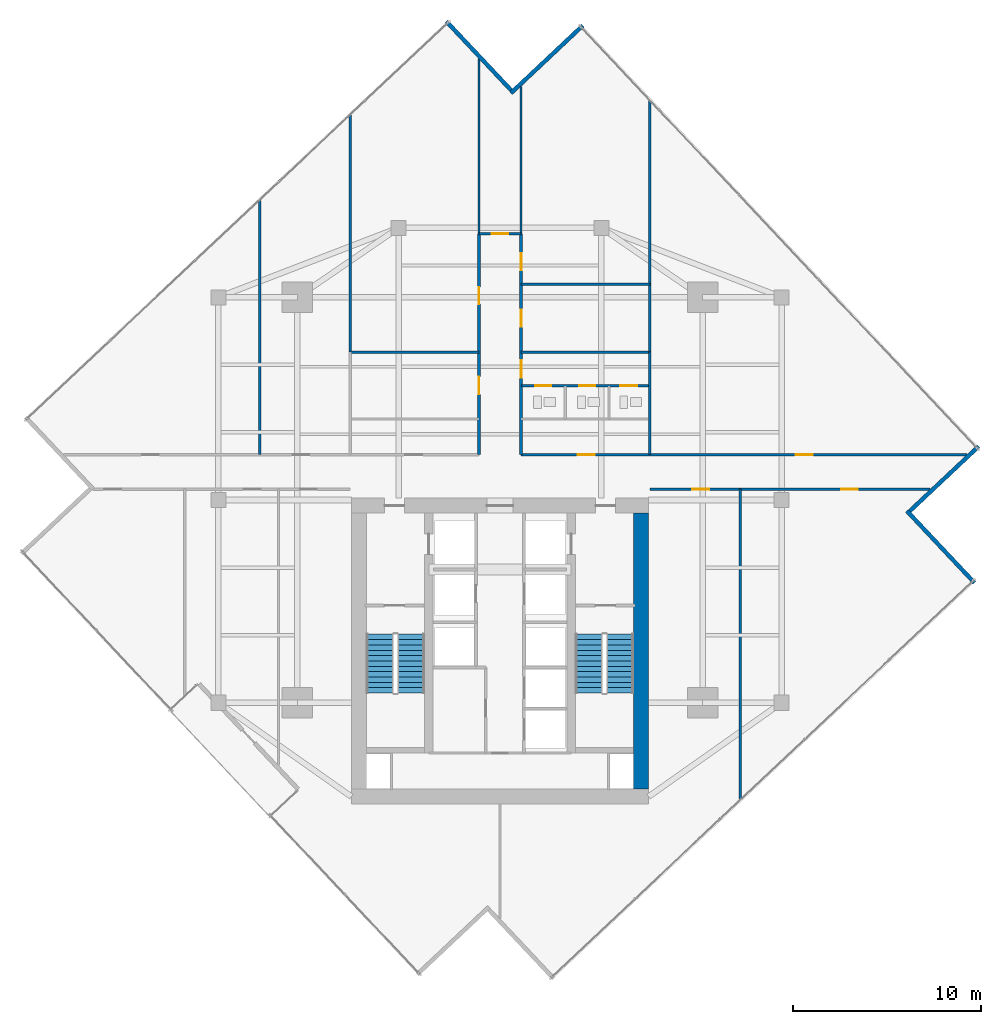
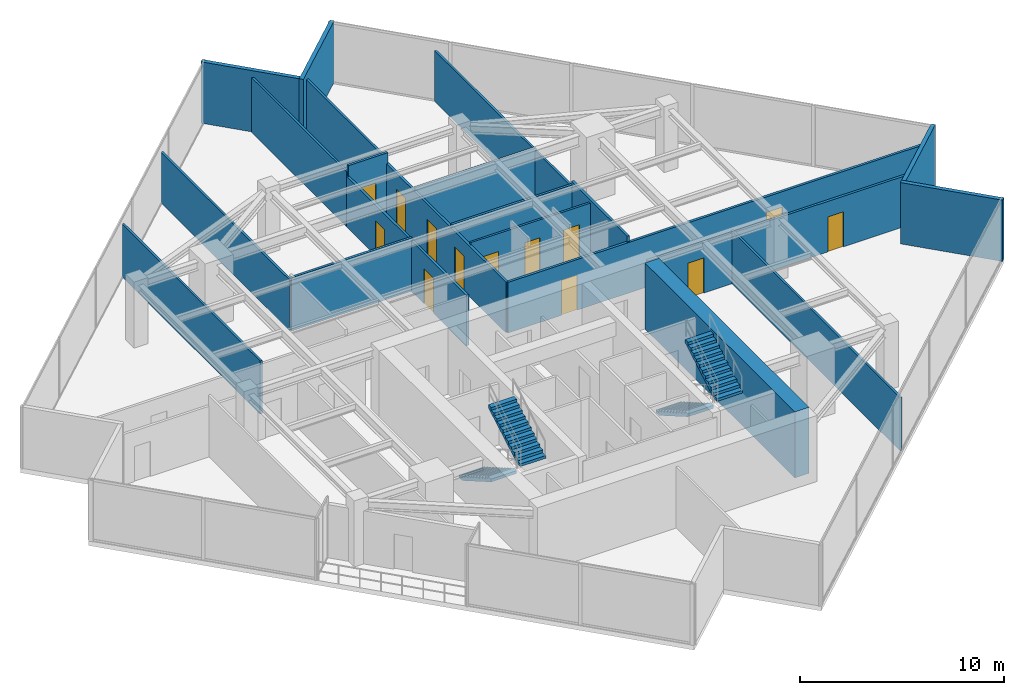
# One storey, part 22 of 24: 21 walls, 13 doors, 4 stair flights, 13 openings, 2 elements without a shape of their own.
"""IFC4 building model written with IfcOpenShell, lengths in metres."""

from ifc_helpers import new_model, si_unit, direction, frame, frame_2d, origin, place, context, subcontext, project, spatial, polyline, rectangle, outline, extrude, material, layer, layer_set, type_object, element, fill, aggregate, save


model = new_model("IFC4")

# Units and contexts
model_context = context("Model", 3, precision=1e-05, world=origin(), true_north=direction((0.0, 1.0)))
body_context = subcontext(model_context, "Body", "Model", "MODEL_VIEW")
ifc_project = project(units=[si_unit("LENGTHUNIT", "METRE"), si_unit("AREAUNIT", "SQUARE_METRE"), si_unit("VOLUMEUNIT", "CUBIC_METRE"), si_unit("PLANEANGLEUNIT", "RADIAN"), si_unit("MASSUNIT", "GRAM", prefix="KILO")], contexts=[model_context])

# Site, building, storey
site_placement = place(None, origin())
site = spatial("IfcSite", under=ifc_project, at=site_placement, CompositionType="ELEMENT")
building_placement = place(site_placement, origin())
building = spatial("IfcBuilding", under=site, at=building_placement, Name="Krantzveldt Concourse Tower", CompositionType="ELEMENT")
storey_placement = place(building_placement, frame((0.0, 0.0, 246.800048828125)))
storey = spatial("IfcBuildingStorey", under=building, at=storey_placement, Name="L60", CompositionType="ELEMENT", Elevation=246.800048828125)

# Walls
ifc_material_1 = material(Name="Anodised aluminium 6063-T6", Category="aluminium")
ifc_layer_1 = layer(ifc_material_1, 0.219970703125, Name="Anodised aluminium 6063-T6", Category="aluminium")
ifc_layer_set_1 = layer_set([ifc_layer_1], Name="Anodised aluminium 6063-T6 (WL-EXT-NOTCH220)")
wall_type_1 = type_object("IfcWallType", Name="WL-EXT-NOTCH220", PredefinedType="ELEMENTEDWALL", material=ifc_layer_set_1)
wall_1_placement = place(storey_placement, frame((36.58935546875, 48.53466796875, 0.0), z_axis=(0.0, 0.0, 1.0), x_axis=(-0.685181305796, 0.728372554527, 0.0)))
element("IfcWall", 1, at=wall_1_placement, inside=storey, type_object=wall_type_1, Name="EW-L60-NCH00", PredefinedType="ELEMENTEDWALL", context=body_context, shape_type="SweptSolid", body=[
    extrude(rectangle(XDim=5.025146484375, YDim=0.219970703125, at=frame_2d((2.5126953125, 0.0))), origin(), (0.0, 0.0, 1.0), 3.669921875),
])
wall_2_placement = place(storey_placement, frame((61.27294921875, 22.295166015625, 0.0), z_axis=(0.0, 0.0, 1.0), x_axis=(-0.685178828418, 0.728374884992, 0.0)))
element("IfcWall", 2, at=wall_2_placement, inside=storey, type_object=wall_type_1, Name="EW-L60-NCH12", PredefinedType="ELEMENTEDWALL", context=body_context, shape_type="SweptSolid", body=[
    extrude(rectangle(XDim=5.244873046875, YDim=0.219970703125, at=frame_2d((2.62255859375, 0.0))), origin(), (0.0, 0.0, 1.0), 3.669921875),
])
wall_3_placement = place(storey_placement, frame((57.834716796875, 26.110595703125, 0.0), z_axis=(0.0, 0.0, 1.0), x_axis=(0.728372554527, 0.685181305796, 0.0)))
element("IfcWall", 3, at=wall_3_placement, inside=storey, type_object=wall_type_1, Name="EW-L60-NCH13", PredefinedType="ELEMENTEDWALL", context=body_context, shape_type="SweptSolid", body=[
    extrude(rectangle(XDim=5.025146484375, YDim=0.219970703125, at=frame_2d((2.5126953125, 0.0))), origin(), (0.0, 0.0, 1.0), 3.669921875),
])
wall_4_placement = place(storey_placement, frame((40.40478515625, 51.972900390625, 0.0), z_axis=(0.0, 0.0, 1.0), x_axis=(-0.728374884992, -0.685178828418, 0.0)))
element("IfcWall", 4, at=wall_4_placement, inside=storey, type_object=wall_type_1, Name="EW-L60-NCH15", PredefinedType="ELEMENTEDWALL", context=body_context, shape_type="SweptSolid", body=[
    extrude(rectangle(XDim=5.244873046875, YDim=0.219970703125, at=frame_2d((2.62255859375, 0.0))), origin(), (0.0, 0.0, 1.0), 3.669921875),
])

# Wall, openings, doors
ifc_material_2 = material(Name="Fire-rated gypsum plasterboard on steel stud", Category="steel")
ifc_layer_2 = layer(ifc_material_2, 0.1201171875, Name="Fire-rated gypsum plasterboard on steel stud", Category="steel")
ifc_layer_set_2 = layer_set([ifc_layer_2], Name="Fire-rated gypsum plasterboard on steel stud (WL-PART-120)")
wall_type_2 = type_object("IfcWallType", Name="WL-PART-120", PredefinedType="PARTITIONING", material=ifc_layer_set_2)
wall_5_placement = place(storey_placement, frame((37.14990234375, 32.780029296875, 0.0), z_axis=(0.0, 0.0, 1.0), x_axis=(1.0, 0.0, 0.0)))
wall_5 = element("IfcWall", 5, at=wall_5_placement, inside=storey, type_object=wall_type_2, Name="WP-L60-WCHDR", PredefinedType="PARTITIONING", context=body_context, shape_type="SweptSolid", body=[
    extrude(rectangle(XDim=6.800048828125, YDim=0.1201171875, at=frame_2d((3.39990234375, 0.0))), origin(), (0.0, 0.0, 1.0), 3.179931640625),
])
opening_1_placement = place(wall_5_placement, frame((0.72509765625, 0.0, 0.0)))
opening_1 = element("IfcOpeningElement", 6, at=opening_1_placement, cuts=wall_5, Name="Opening D-IN085", PredefinedType="OPENING", context=body_context, shape_type="SweptSolid", body=[
    extrude(rectangle(XDim=0.85009765625, YDim=2.10009765625, at=frame_2d((0.425048828125, 1.050048828125))), frame((0.0, 0.070068359375, 0.0), z_axis=(0.0, -1.0, 0.0), x_axis=(1.0, 0.0, 0.0)), (0.0, 0.0, 1.0), 0.14013671875),
])
opening_2_placement = place(wall_5_placement, frame((3.06494140625, 0.0, 0.0)))
opening_2 = element("IfcOpeningElement", 7, at=opening_2_placement, cuts=wall_5, Name="Opening D-IN085", PredefinedType="OPENING", context=body_context, shape_type="SweptSolid", body=[
    extrude(rectangle(XDim=0.85009765625, YDim=2.10009765625, at=frame_2d((0.425048828125, 1.050048828125))), frame((0.0, 0.070068359375, 0.0), z_axis=(0.0, -1.0, 0.0), x_axis=(1.0, 0.0, 0.0)), (0.0, 0.0, 1.0), 0.14013671875),
])
opening_3_placement = place(wall_5_placement, frame((5.25, 0.0, 0.0)))
opening_3 = element("IfcOpeningElement", 8, at=opening_3_placement, cuts=wall_5, Name="Opening D-IN090", PredefinedType="OPENING", context=body_context, shape_type="SweptSolid", body=[
    extrude(rectangle(XDim=0.89990234375, YDim=2.10009765625, at=frame_2d((0.449951171875, 1.050048828125))), frame((0.0, 0.070068359375, 0.0), z_axis=(0.0, -1.0, 0.0), x_axis=(1.0, 0.0, 0.0)), (0.0, 0.0, 1.0), 0.14013671875),
])
ifc_material_3 = material(Name="Hardwood timber", Category="wood")
door_type_1 = type_object("IfcDoorType", Name="DR-INT-850", OperationType="SINGLE_SWING_LEFT", PredefinedType="DOOR", material=ifc_material_3)
door_1_placement = place(opening_1_placement, origin())
door_1 = element("IfcDoor", 9, at=door_1_placement, inside=storey, type_object=door_type_1, Name="DR-L60-WCM", OperationType="SINGLE_SWING_LEFT", OverallHeight=2.10009765625, OverallWidth=0.85009765625, PredefinedType="DOOR", context=body_context, shape_type="SweptSolid", body=[
    extrude(rectangle(XDim=0.85009765625, YDim=2.10009765625, at=frame_2d((0.425048828125, 1.050048828125))), frame((0.0, 0.02490234375, 0.0), z_axis=(0.0, -1.0, 0.0), x_axis=(1.0, 0.0, 0.0)), (0.0, 0.0, 1.0), 0.050048828125),
])
fill(opening_1, door_1)
door_2_placement = place(opening_2_placement, origin())
door_2 = element("IfcDoor", 10, at=door_2_placement, inside=storey, type_object=door_type_1, Name="DR-L60-WCF", OperationType="SINGLE_SWING_RIGHT", OverallHeight=2.10009765625, OverallWidth=0.85009765625, PredefinedType="DOOR", context=body_context, shape_type="SweptSolid", body=[
    extrude(rectangle(XDim=0.85009765625, YDim=2.10009765625, at=frame_2d((0.425048828125, 1.050048828125))), frame((0.0, 0.02490234375, 0.0), z_axis=(0.0, -1.0, 0.0), x_axis=(1.0, 0.0, 0.0)), (0.0, 0.0, 1.0), 0.050048828125),
])
fill(opening_2, door_2)
door_type_2 = type_object("IfcDoorType", Name="DR-INT-900", OperationType="SINGLE_SWING_LEFT", PredefinedType="DOOR", material=ifc_material_3)
door_3_placement = place(opening_3_placement, origin())
door_3 = element("IfcDoor", 11, at=door_3_placement, inside=storey, type_object=door_type_2, Name="DR-L60-WCA", OperationType="SINGLE_SWING_LEFT", OverallHeight=2.10009765625, OverallWidth=0.89990234375, PredefinedType="DOOR", context=body_context, shape_type="SweptSolid", body=[
    extrude(rectangle(XDim=0.89990234375, YDim=2.10009765625, at=frame_2d((0.449951171875, 1.050048828125))), frame((0.0, 0.02490234375, 0.0), z_axis=(0.0, -1.0, 0.0), x_axis=(1.0, 0.0, 0.0)), (0.0, 0.0, 1.0), 0.050048828125),
])
fill(opening_3, door_3)

# Walls
wall_6_placement = place(storey_placement, frame((34.8798828125, 40.8798828125, 0.0), z_axis=(0.0, 0.0, 1.0), x_axis=(0.0, 1.0, 0.0)))
element("IfcWall", 12, at=wall_6_placement, inside=storey, type_object=wall_type_2, Name="WP-L60-NTL", PredefinedType="PARTITIONING", context=body_context, shape_type="SweptSolid", body=[
    extrude(rectangle(XDim=9.303955078125, YDim=0.1201171875, at=frame_2d((4.65185546875, 0.0))), origin(), (0.0, 0.0, 1.0), 3.280029296875),
])
wall_7_placement = place(storey_placement, frame((37.1201171875, 40.8798828125, 0.0), z_axis=(0.0, 0.0, 1.0), x_axis=(0.0, 1.0, 0.0)))
element("IfcWall", 13, at=wall_7_placement, inside=storey, type_object=wall_type_2, Name="WP-L60-NTR", PredefinedType="PARTITIONING", context=body_context, shape_type="SweptSolid", body=[
    extrude(rectangle(XDim=7.84521484375, YDim=0.1201171875, at=frame_2d((3.922607421875, 0.0))), origin(), (0.0, 0.0, 1.0), 3.280029296875),
])
wall_8_placement = place(storey_placement, frame((23.199951171875, 29.1201171875, 0.0), z_axis=(0.0, 0.0, 1.0), x_axis=(0.0, 1.0, 0.0)))
element("IfcWall", 14, at=wall_8_placement, inside=storey, type_object=wall_type_2, Name="WP-L60-NWX1", PredefinedType="PARTITIONING", context=body_context, shape_type="SweptSolid", body=[
    extrude(rectangle(XDim=13.560302734375, YDim=0.1201171875, at=frame_2d((6.7802734375, 0.0))), origin(), (0.0, 0.0, 1.0), 3.179931640625),
])
wall_9_placement = place(storey_placement, frame((28.02001953125, 34.580078125, 0.0), z_axis=(0.0, 0.0, 1.0), x_axis=(0.0, 1.0, 0.0)))
element("IfcWall", 15, at=wall_9_placement, inside=storey, type_object=wall_type_2, Name="WP-L60-ISWL2", PredefinedType="PARTITIONING", context=body_context, shape_type="SweptSolid", body=[
    extrude(rectangle(XDim=12.634521484375, YDim=0.1201171875, at=frame_2d((6.3173828125, 0.0))), origin(), (0.0, 0.0, 1.0), 3.030029296875),
])
wall_10_placement = place(storey_placement, frame((43.97998046875, 34.580078125, 0.0), z_axis=(0.0, 0.0, 1.0), x_axis=(0.0, 1.0, 0.0)))
element("IfcWall", 16, at=wall_10_placement, inside=storey, type_object=wall_type_2, Name="WP-L60-ISER2", PredefinedType="PARTITIONING", context=body_context, shape_type="SweptSolid", body=[
    extrude(rectangle(XDim=13.424560546875, YDim=0.1201171875, at=frame_2d((6.71240234375, 0.0))), origin(), (0.0, 0.0, 1.0), 3.030029296875),
])
wall_11_placement = place(storey_placement, frame((37.1201171875, 38.199951171875, 0.0), z_axis=(0.0, 0.0, 1.0), x_axis=(1.0, 0.0, 0.0)))
element("IfcWall", 17, at=wall_11_placement, inside=storey, type_object=wall_type_2, Name="WP-L60-NEIY", PredefinedType="PARTITIONING", context=body_context, shape_type="SweptSolid", body=[
    extrude(rectangle(XDim=6.85986328125, YDim=0.1201171875, at=frame_2d((3.429931640625, 0.0))), origin(), (0.0, 0.0, 1.0), 3.179931640625),
])
wall_12_placement = place(storey_placement, frame((48.800048828125, 10.719482421875, 0.0), z_axis=(0.0, 0.0, 1.0), x_axis=(0.0, 1.0, 0.0)))
element("IfcWall", 18, at=wall_12_placement, inside=storey, type_object=wall_type_2, Name="WP-L60-SEX1", PredefinedType="PARTITIONING", context=body_context, shape_type="SweptSolid", body=[
    extrude(rectangle(XDim=16.560546875, YDim=0.1201171875, at=frame_2d((8.2802734375, 0.0))), origin(), (0.0, 0.0, 1.0), 3.179931640625),
])

# Wall, openings, doors
ifc_layer_3 = layer(ifc_material_2, 0.139892578125, Name="Fire-rated gypsum plasterboard on steel stud", Category="steel")
ifc_layer_set_3 = layer_set([ifc_layer_3], Name="Fire-rated gypsum plasterboard on steel stud (WL-PART-140)")
wall_type_3 = type_object("IfcWallType", Name="WL-PART-140", PredefinedType="PARTITIONING", material=ifc_layer_set_3)
wall_13_placement = place(storey_placement, frame((34.8798828125, 29.1201171875, 0.0), z_axis=(0.0, 0.0, 1.0), x_axis=(0.0, 1.0, 0.0)))
wall_13 = element("IfcWall", 19, at=wall_13_placement, inside=storey, type_object=wall_type_3, Name="WP-L60-SPWL", PredefinedType="PARTITIONING", context=body_context, shape_type="SweptSolid", body=[
    extrude(rectangle(XDim=11.759765625, YDim=0.139892578125, at=frame_2d((5.8798828125, 0.0))), origin(), (0.0, 0.0, 1.0), 3.030029296875),
])
opening_4_placement = place(wall_13_placement, frame((3.205078125, 0.0, 0.0)))
opening_4 = element("IfcOpeningElement", 20, at=opening_4_placement, cuts=wall_13, Name="Opening D-IN095", PredefinedType="OPENING", context=body_context, shape_type="SweptSolid", body=[
    extrude(rectangle(XDim=0.949951171875, YDim=2.10009765625, at=frame_2d((0.47509765625, 1.050048828125))), frame((0.0, 0.080078125, 0.0), z_axis=(0.0, -1.0, 0.0), x_axis=(1.0, 0.0, 0.0)), (0.0, 0.0, 1.0), 0.159912109375),
])
opening_5_placement = place(wall_13_placement, frame((8.02001953125, 0.0, 0.0)))
opening_5 = element("IfcOpeningElement", 21, at=opening_5_placement, cuts=wall_13, Name="Opening D-IN090", PredefinedType="OPENING", context=body_context, shape_type="SweptSolid", body=[
    extrude(rectangle(XDim=0.89990234375, YDim=2.10009765625, at=frame_2d((0.449951171875, 1.050048828125))), frame((0.0, 0.080078125, 0.0), z_axis=(0.0, -1.0, 0.0), x_axis=(1.0, 0.0, 0.0)), (0.0, 0.0, 1.0), 0.159912109375),
])
door_4_placement = place(opening_5_placement, origin())
door_4 = element("IfcDoor", 22, at=door_4_placement, inside=storey, type_object=door_type_2, Name="DR-L60-NWI1", OperationType="SINGLE_SWING_LEFT", OverallHeight=2.10009765625, OverallWidth=0.89990234375, PredefinedType="DOOR", context=body_context, shape_type="SweptSolid", body=[
    extrude(rectangle(XDim=0.89990234375, YDim=2.10009765625, at=frame_2d((0.449951171875, 1.050048828125))), frame((0.0, 0.02490234375, 0.0), z_axis=(0.0, -1.0, 0.0), x_axis=(1.0, 0.0, 0.0)), (0.0, 0.0, 1.0), 0.050048828125),
])
fill(opening_5, door_4)
door_type_3 = type_object("IfcDoorType", Name="DR-INT-950", OperationType="SINGLE_SWING_LEFT", PredefinedType="DOOR", material=ifc_material_3)
door_5_placement = place(opening_4_placement, origin())
door_5 = element("IfcDoor", 23, at=door_5_placement, inside=storey, type_object=door_type_3, Name="DR-L60-PNT", OperationType="SINGLE_SWING_RIGHT", OverallHeight=2.10009765625, OverallWidth=0.949951171875, PredefinedType="DOOR", context=body_context, shape_type="SweptSolid", body=[
    extrude(rectangle(XDim=0.949951171875, YDim=2.10009765625, at=frame_2d((0.47509765625, 1.050048828125))), frame((0.0, 0.02490234375, 0.0), z_axis=(0.0, -1.0, 0.0), x_axis=(1.0, 0.0, 0.0)), (0.0, 0.0, 1.0), 0.050048828125),
])
fill(opening_4, door_5)

wall_14_placement = place(storey_placement, frame((37.1201171875, 29.1201171875, 0.0), z_axis=(0.0, 0.0, 1.0), x_axis=(0.0, 1.0, 0.0)))
wall_14 = element("IfcWall", 24, at=wall_14_placement, inside=storey, type_object=wall_type_3, Name="WP-L60-SPER", PredefinedType="PARTITIONING", context=body_context, shape_type="SweptSolid", body=[
    extrude(rectangle(XDim=11.759765625, YDim=0.139892578125, at=frame_2d((5.8798828125, 0.0))), origin(), (0.0, 0.0, 1.0), 3.030029296875),
])
opening_6_placement = place(wall_14_placement, frame((4.0849609375, 0.0, 0.0)))
opening_6 = element("IfcOpeningElement", 25, at=opening_6_placement, cuts=wall_14, Name="Opening D-IN095", PredefinedType="OPENING", context=body_context, shape_type="SweptSolid", body=[
    extrude(rectangle(XDim=0.949951171875, YDim=2.10009765625, at=frame_2d((0.47509765625, 1.050048828125))), frame((0.0, 0.080078125, 0.0), z_axis=(0.0, -1.0, 0.0), x_axis=(1.0, 0.0, 0.0)), (0.0, 0.0, 1.0), 0.159912109375),
])
opening_7_placement = place(wall_14_placement, frame((6.820068359375, 0.0, 0.0)))
opening_7 = element("IfcOpeningElement", 26, at=opening_7_placement, cuts=wall_14, Name="Opening D-IN090", PredefinedType="OPENING", context=body_context, shape_type="SweptSolid", body=[
    extrude(rectangle(XDim=0.89990234375, YDim=2.10009765625, at=frame_2d((0.449951171875, 1.050048828125))), frame((0.0, 0.080078125, 0.0), z_axis=(0.0, -1.0, 0.0), x_axis=(1.0, 0.0, 0.0)), (0.0, 0.0, 1.0), 0.159912109375),
])
opening_8_placement = place(wall_14_placement, frame((9.830078125, 0.0, 0.0)))
opening_8 = element("IfcOpeningElement", 27, at=opening_8_placement, cuts=wall_14, Name="Opening D-IN090", PredefinedType="OPENING", context=body_context, shape_type="SweptSolid", body=[
    extrude(rectangle(XDim=0.89990234375, YDim=2.10009765625, at=frame_2d((0.449951171875, 1.050048828125))), frame((0.0, 0.080078125, 0.0), z_axis=(0.0, -1.0, 0.0), x_axis=(1.0, 0.0, 0.0)), (0.0, 0.0, 1.0), 0.159912109375),
])
door_6_placement = place(opening_7_placement, origin())
door_6 = element("IfcDoor", 28, at=door_6_placement, inside=storey, type_object=door_type_2, Name="DR-L60-NEI1", OperationType="SINGLE_SWING_LEFT", OverallHeight=2.10009765625, OverallWidth=0.89990234375, PredefinedType="DOOR", context=body_context, shape_type="SweptSolid", body=[
    extrude(rectangle(XDim=0.89990234375, YDim=2.10009765625, at=frame_2d((0.449951171875, 1.050048828125))), frame((0.0, 0.02490234375, 0.0), z_axis=(0.0, -1.0, 0.0), x_axis=(1.0, 0.0, 0.0)), (0.0, 0.0, 1.0), 0.050048828125),
])
fill(opening_7, door_6)
door_7_placement = place(opening_8_placement, origin())
door_7 = element("IfcDoor", 29, at=door_7_placement, inside=storey, type_object=door_type_2, Name="DR-L60-NEI2", OperationType="SINGLE_SWING_LEFT", OverallHeight=2.10009765625, OverallWidth=0.89990234375, PredefinedType="DOOR", context=body_context, shape_type="SweptSolid", body=[
    extrude(rectangle(XDim=0.89990234375, YDim=2.10009765625, at=frame_2d((0.449951171875, 1.050048828125))), frame((0.0, 0.02490234375, 0.0), z_axis=(0.0, -1.0, 0.0), x_axis=(1.0, 0.0, 0.0)), (0.0, 0.0, 1.0), 0.050048828125),
])
fill(opening_8, door_7)
door_8_placement = place(opening_6_placement, origin())
door_8 = element("IfcDoor", 30, at=door_8_placement, inside=storey, type_object=door_type_3, Name="DR-L60-WCLB", OperationType="SINGLE_SWING_LEFT", OverallHeight=2.10009765625, OverallWidth=0.949951171875, PredefinedType="DOOR", context=body_context, shape_type="SweptSolid", body=[
    extrude(rectangle(XDim=0.949951171875, YDim=2.10009765625, at=frame_2d((0.47509765625, 1.050048828125))), frame((0.0, 0.02490234375, 0.0), z_axis=(0.0, -1.0, 0.0), x_axis=(1.0, 0.0, 0.0)), (0.0, 0.0, 1.0), 0.050048828125),
])
fill(opening_6, door_8)

# Wall, opening, door
wall_15_placement = place(storey_placement, frame((34.8798828125, 40.8798828125, 0.0), z_axis=(0.0, 0.0, 1.0), x_axis=(1.0, 0.0, 0.0)))
wall_15 = element("IfcWall", 31, at=wall_15_placement, inside=storey, type_object=wall_type_3, Name="WP-L60-SPTOP", PredefinedType="PARTITIONING", context=body_context, shape_type="SweptSolid", body=[
    extrude(rectangle(XDim=2.240234375, YDim=0.139892578125, at=frame_2d((1.1201171875, 0.0))), origin(), (0.0, 0.0, 1.0), 3.669921875),
])
opening_9_placement = place(wall_15_placement, frame((0.669921875, 0.0, 0.0)))
opening_9 = element("IfcOpeningElement", 32, at=opening_9_placement, cuts=wall_15, Name="Opening D-IN090", PredefinedType="OPENING", context=body_context, shape_type="SweptSolid", body=[
    extrude(rectangle(XDim=0.89990234375, YDim=2.10009765625, at=frame_2d((0.449951171875, 1.050048828125))), frame((0.0, 0.080078125, 0.0), z_axis=(0.0, -1.0, 0.0), x_axis=(1.0, 0.0, 0.0)), (0.0, 0.0, 1.0), 0.159912109375),
])
door_9_placement = place(opening_9_placement, origin())
door_9 = element("IfcDoor", 33, at=door_9_placement, inside=storey, type_object=door_type_2, Name="DR-L60-NTOP", OperationType="SINGLE_SWING_LEFT", OverallHeight=2.10009765625, OverallWidth=0.89990234375, PredefinedType="DOOR", context=body_context, shape_type="SweptSolid", body=[
    extrude(rectangle(XDim=0.89990234375, YDim=2.10009765625, at=frame_2d((0.449951171875, 1.050048828125))), frame((0.0, 0.02490234375, 0.0), z_axis=(0.0, -1.0, 0.0), x_axis=(1.0, 0.0, 0.0)), (0.0, 0.0, 1.0), 0.050048828125),
])
fill(opening_9, door_9)

# Wall, openings, doors
wall_16_placement = place(storey_placement, frame((37.1201171875, 29.1201171875, 0.0), z_axis=(0.0, 0.0, 1.0), x_axis=(1.0, 0.0, 0.0)))
wall_16 = element("IfcWall", 34, at=wall_16_placement, inside=storey, type_object=wall_type_3, Name="WP-L60-EWNR", PredefinedType="PARTITIONING", context=body_context, shape_type="SweptSolid", body=[
    extrude(rectangle(XDim=23.745849609375, YDim=0.139892578125, at=frame_2d((11.873046875, 0.0))), origin(), (0.0, 0.0, 1.0), 3.030029296875),
])
opening_10_placement = place(wall_16_placement, frame((3.030029296875, 0.0, 0.0)))
opening_10 = element("IfcOpeningElement", 35, at=opening_10_placement, cuts=wall_16, Name="Opening D-IN090", PredefinedType="OPENING", context=body_context, shape_type="SweptSolid", body=[
    extrude(rectangle(XDim=0.89990234375, YDim=2.10009765625, at=frame_2d((0.449951171875, 1.050048828125))), frame((0.0, 0.080078125, 0.0), z_axis=(0.0, -1.0, 0.0), x_axis=(1.0, 0.0, 0.0)), (0.0, 0.0, 1.0), 0.159912109375),
])
opening_11_placement = place(wall_16_placement, frame((14.639892578125, 0.0, 0.0)))
opening_11 = element("IfcOpeningElement", 36, at=opening_11_placement, cuts=wall_16, Name="Opening D-IN090", PredefinedType="OPENING", context=body_context, shape_type="SweptSolid", body=[
    extrude(rectangle(XDim=0.89990234375, YDim=2.10009765625, at=frame_2d((0.449951171875, 1.050048828125))), frame((0.0, 0.080078125, 0.0), z_axis=(0.0, -1.0, 0.0), x_axis=(1.0, 0.0, 0.0)), (0.0, 0.0, 1.0), 0.159912109375),
])
door_10_placement = place(opening_10_placement, origin())
door_10 = element("IfcDoor", 37, at=door_10_placement, inside=storey, type_object=door_type_2, Name="DR-L60-ALCR", OperationType="SINGLE_SWING_RIGHT", OverallHeight=2.10009765625, OverallWidth=0.89990234375, PredefinedType="DOOR", context=body_context, shape_type="SweptSolid", body=[
    extrude(rectangle(XDim=0.89990234375, YDim=2.10009765625, at=frame_2d((0.449951171875, 1.050048828125))), frame((0.0, 0.02490234375, 0.0), z_axis=(0.0, -1.0, 0.0), x_axis=(1.0, 0.0, 0.0)), (0.0, 0.0, 1.0), 0.050048828125),
])
fill(opening_10, door_10)
door_11_placement = place(opening_11_placement, origin())
door_11 = element("IfcDoor", 38, at=door_11_placement, inside=storey, type_object=door_type_2, Name="DR-L60-NEX1", OperationType="SINGLE_SWING_RIGHT", OverallHeight=2.10009765625, OverallWidth=0.89990234375, PredefinedType="DOOR", context=body_context, shape_type="SweptSolid", body=[
    extrude(rectangle(XDim=0.89990234375, YDim=2.10009765625, at=frame_2d((0.449951171875, 1.050048828125))), frame((0.0, 0.02490234375, 0.0), z_axis=(0.0, -1.0, 0.0), x_axis=(1.0, 0.0, 0.0)), (0.0, 0.0, 1.0), 0.050048828125),
])
fill(opening_11, door_11)

wall_17_placement = place(storey_placement, frame((44.0, 27.280029296875, 0.0), z_axis=(0.0, 0.0, 1.0), x_axis=(1.0, 0.0, 0.0)))
wall_17 = element("IfcWall", 39, at=wall_17_placement, inside=storey, type_object=wall_type_3, Name="WP-L60-EWSR", PredefinedType="PARTITIONING", context=body_context, shape_type="SweptSolid", body=[
    extrude(rectangle(XDim=14.909912109375, YDim=0.139892578125, at=frame_2d((7.455078125, 0.0))), origin(), (0.0, 0.0, 1.0), 3.030029296875),
])
opening_12_placement = place(wall_17_placement, frame((2.25, 0.0, 0.0)))
opening_12 = element("IfcOpeningElement", 40, at=opening_12_placement, cuts=wall_17, Name="Opening D-IN090", PredefinedType="OPENING", context=body_context, shape_type="SweptSolid", body=[
    extrude(rectangle(XDim=0.89990234375, YDim=2.10009765625, at=frame_2d((0.449951171875, 1.050048828125))), frame((0.0, 0.080078125, 0.0), z_axis=(0.0, -1.0, 0.0), x_axis=(1.0, 0.0, 0.0)), (0.0, 0.0, 1.0), 0.159912109375),
])
opening_13_placement = place(wall_17_placement, frame((10.169921875, 0.0, 0.0)))
opening_13 = element("IfcOpeningElement", 41, at=opening_13_placement, cuts=wall_17, Name="Opening D-IN090", PredefinedType="OPENING", context=body_context, shape_type="SweptSolid", body=[
    extrude(rectangle(XDim=0.89990234375, YDim=2.10009765625, at=frame_2d((0.449951171875, 1.050048828125))), frame((0.0, 0.080078125, 0.0), z_axis=(0.0, -1.0, 0.0), x_axis=(1.0, 0.0, 0.0)), (0.0, 0.0, 1.0), 0.159912109375),
])
door_12_placement = place(opening_12_placement, origin())
door_12 = element("IfcDoor", 42, at=door_12_placement, inside=storey, type_object=door_type_2, Name="DR-L60-SEX1", OperationType="SINGLE_SWING_RIGHT", OverallHeight=2.10009765625, OverallWidth=0.89990234375, PredefinedType="DOOR", context=body_context, shape_type="SweptSolid", body=[
    extrude(rectangle(XDim=0.89990234375, YDim=2.10009765625, at=frame_2d((0.449951171875, 1.050048828125))), frame((0.0, 0.02490234375, 0.0), z_axis=(0.0, -1.0, 0.0), x_axis=(1.0, 0.0, 0.0)), (0.0, 0.0, 1.0), 0.050048828125),
])
fill(opening_12, door_12)
door_13_placement = place(opening_13_placement, origin())
door_13 = element("IfcDoor", 43, at=door_13_placement, inside=storey, type_object=door_type_2, Name="DR-L60-SEX2", OperationType="SINGLE_SWING_RIGHT", OverallHeight=2.10009765625, OverallWidth=0.89990234375, PredefinedType="DOOR", context=body_context, shape_type="SweptSolid", body=[
    extrude(rectangle(XDim=0.89990234375, YDim=2.10009765625, at=frame_2d((0.449951171875, 1.050048828125))), frame((0.0, 0.02490234375, 0.0), z_axis=(0.0, -1.0, 0.0), x_axis=(1.0, 0.0, 0.0)), (0.0, 0.0, 1.0), 0.050048828125),
])
fill(opening_13, door_13)

# Walls
for number, where, z_axis, x_axis, name in (
    (44, (28.02001953125, 34.580078125, 0.0), (0.0, 0.0, 1.0), (1.0, 0.0, 0.0), "WP-L60-ISNL"),
    (45, (37.1201171875, 34.580078125, 0.0), (0.0, 0.0, 1.0), (1.0, 0.0, 0.0), "WP-L60-ISNR"),
):
    element("IfcWall", number, at=place(storey_placement, frame(where, z_axis=z_axis, x_axis=x_axis)), inside=storey, type_object=wall_type_3, Name=name, PredefinedType="PARTITIONING", context=body_context, shape_type="SweptSolid", body=[
        extrude(rectangle(XDim=6.85986328125, YDim=0.139892578125, at=frame_2d((3.429931640625, 0.0))), origin(), (0.0, 0.0, 1.0), 3.179931640625),
    ])
wall_18_placement = place(storey_placement, frame((43.97998046875, 29.1201171875, 0.0), z_axis=(0.0, 0.0, 1.0), x_axis=(0.0, 1.0, 0.0)))
element("IfcWall", 46, at=wall_18_placement, inside=storey, type_object=wall_type_3, Name="WP-L60-ISER", PredefinedType="PARTITIONING", context=body_context, shape_type="SweptSolid", body=[
    extrude(rectangle(XDim=5.4599609375, YDim=0.139892578125, at=frame_2d((2.72998046875, 0.0))), origin(), (0.0, 0.0, 1.0), 3.369873046875),
])
ifc_material_4 = material(Name="Concrete C60/75", Category="concrete")
ifc_layer_4 = layer(ifc_material_4, 0.800048828125, Name="Concrete C60/75", Category="concrete")
ifc_layer_set_4 = layer_set([ifc_layer_4], Name="Concrete C60/75 (WL-SHEAR-800)")
wall_type_4 = type_object("IfcWallType", Name="WL-SHEAR-800", PredefinedType="SHEAR", material=ifc_layer_set_4)
wall_19_placement = place(storey_placement, frame((43.52001953125, 11.300048828125, 0.0), z_axis=(0.0, 0.0, 1.0), x_axis=(0.0, 1.0, 0.0)))
element("IfcWall", 47, at=wall_19_placement, inside=storey, type_object=wall_type_4, Name="CW-L60-E", PredefinedType="SHEAR", context=body_context, shape_type="SweptSolid", body=[
    extrude(rectangle(XDim=14.699951171875, YDim=0.800048828125, at=frame_2d((7.35009765625, 0.0))), origin(), (0.0, 0.0, 1.0), 3.949951171875),
])

# Stair, stair flights
ifc_material_5 = material(Name="Precast concrete C40/50", Category="concrete")
stair_type = type_object("IfcStairType", Name="STR-CORE-DOGLEG", PredefinedType="HALF_TURN_STAIR", material=ifc_material_5)
stair_1_placement = place(storey_placement, origin())
stair_1 = element("IfcStair", 48, at=stair_1_placement, inside=storey, type_object=stair_type, Name="L60 Protected Escape Stair ST-1", PredefinedType="HALF_TURN_STAIR")
stair_flight_type = type_object("IfcStairFlightType", Name="STF-CORE-1450", PredefinedType="STRAIGHT", material=ifc_material_5)
stair_flight_1_placement = place(storey_placement, frame((29.60498046875, 19.550048828125, 0.0), z_axis=(0.0, 0.0, 1.0), x_axis=(0.0, -1.0, 0.0)))
stair_flight_1 = element("IfcStairFlight", 49, at=stair_flight_1_placement, type_object=stair_flight_type, Name="ST-1 flight 1", NumberOfRisers=12, NumberOfTreads=11, PredefinedType="STRAIGHT", RiserHeight=0.164583333, TreadLength=0.285, context=body_context, shape_type="SweptSolid", body=[
    extrude(outline(polyline([(0.0, 0.0), (0.0, 0.16455078125), (0.284912109375, 0.16455078125), (0.284912109375, 0.3291015625), (0.570068359375, 0.3291015625), (0.570068359375, 0.49365234375), (0.85498046875, 0.49365234375), (0.85498046875, 0.658447265625), (1.139892578125, 0.658447265625), (1.139892578125, 0.822998046875), (1.425048828125, 0.822998046875), (1.425048828125, 0.987548828125), (1.7099609375, 0.987548828125), (1.7099609375, 1.152099609375), (1.9951171875, 1.152099609375), (1.9951171875, 1.316650390625), (2.280029296875, 1.316650390625), (2.280029296875, 1.481201171875), (2.56494140625, 1.481201171875), (2.56494140625, 1.645751953125), (2.85009765625, 1.645751953125), (2.85009765625, 1.810302734375), (3.135009765625, 1.810302734375), (3.135009765625, 1.97509765625), (3.135009765625, 1.63720703125), (0.2998046875, 0.0), (0.0, 0.0)])), frame((0.0, 0.72509765625, 0.0), z_axis=(0.0, -1.0, 0.0), x_axis=(1.0, 0.0, 0.0)), (0.0, 0.0, 1.0), 1.449951171875),
])
stair_flight_2_placement = place(storey_placement, frame((31.2548828125, 16.4150390625, 1.974853515625), z_axis=(0.0, 0.0, 1.0), x_axis=(0.0, 1.0, 0.0)))
stair_flight_2 = element("IfcStairFlight", 50, at=stair_flight_2_placement, type_object=stair_flight_type, Name="ST-1 flight 2", NumberOfRisers=12, NumberOfTreads=11, PredefinedType="STRAIGHT", RiserHeight=0.164583333, TreadLength=0.285, context=body_context, shape_type="SweptSolid", body=[
    extrude(outline(polyline([(0.0, 0.0), (0.0, 0.16455078125), (0.284912109375, 0.16455078125), (0.284912109375, 0.3291015625), (0.570068359375, 0.3291015625), (0.570068359375, 0.49365234375), (0.85498046875, 0.49365234375), (0.85498046875, 0.658447265625), (1.139892578125, 0.658447265625), (1.139892578125, 0.822998046875), (1.425048828125, 0.822998046875), (1.425048828125, 0.987548828125), (1.7099609375, 0.987548828125), (1.7099609375, 1.152099609375), (1.9951171875, 1.152099609375), (1.9951171875, 1.316650390625), (2.280029296875, 1.316650390625), (2.280029296875, 1.481201171875), (2.56494140625, 1.481201171875), (2.56494140625, 1.645751953125), (2.85009765625, 1.645751953125), (2.85009765625, 1.810302734375), (3.135009765625, 1.810302734375), (3.135009765625, 1.97509765625), (3.135009765625, 1.63720703125), (0.2998046875, 0.0), (0.0, 0.0)])), frame((0.0, 0.72509765625, 0.0), z_axis=(0.0, -1.0, 0.0), x_axis=(1.0, 0.0, 0.0)), (0.0, 0.0, 1.0), 1.449951171875),
])
aggregate(stair_1, [stair_flight_1, stair_flight_2])

stair_2_placement = place(storey_placement, origin())
stair_2 = element("IfcStair", 51, at=stair_2_placement, inside=storey, type_object=stair_type, Name="L60 Protected Escape Stair ST-2", PredefinedType="HALF_TURN_STAIR")
stair_flight_3_placement = place(storey_placement, frame((40.7451171875, 19.550048828125, 0.0), z_axis=(0.0, 0.0, 1.0), x_axis=(0.0, -1.0, 0.0)))
stair_flight_3 = element("IfcStairFlight", 52, at=stair_flight_3_placement, type_object=stair_flight_type, Name="ST-2 flight 1", NumberOfRisers=12, NumberOfTreads=11, PredefinedType="STRAIGHT", RiserHeight=0.164583333, TreadLength=0.285, context=body_context, shape_type="SweptSolid", body=[
    extrude(outline(polyline([(0.0, 0.0), (0.0, 0.16455078125), (0.284912109375, 0.16455078125), (0.284912109375, 0.3291015625), (0.570068359375, 0.3291015625), (0.570068359375, 0.49365234375), (0.85498046875, 0.49365234375), (0.85498046875, 0.658447265625), (1.139892578125, 0.658447265625), (1.139892578125, 0.822998046875), (1.425048828125, 0.822998046875), (1.425048828125, 0.987548828125), (1.7099609375, 0.987548828125), (1.7099609375, 1.152099609375), (1.9951171875, 1.152099609375), (1.9951171875, 1.316650390625), (2.280029296875, 1.316650390625), (2.280029296875, 1.481201171875), (2.56494140625, 1.481201171875), (2.56494140625, 1.645751953125), (2.85009765625, 1.645751953125), (2.85009765625, 1.810302734375), (3.135009765625, 1.810302734375), (3.135009765625, 1.97509765625), (3.135009765625, 1.63720703125), (0.2998046875, 0.0), (0.0, 0.0)])), frame((0.0, 0.72509765625, 0.0), z_axis=(0.0, -1.0, 0.0), x_axis=(1.0, 0.0, 0.0)), (0.0, 0.0, 1.0), 1.449951171875),
])
stair_flight_4_placement = place(storey_placement, frame((42.39501953125, 16.4150390625, 1.974853515625), z_axis=(0.0, 0.0, 1.0), x_axis=(0.0, 1.0, 0.0)))
stair_flight_4 = element("IfcStairFlight", 53, at=stair_flight_4_placement, type_object=stair_flight_type, Name="ST-2 flight 2", NumberOfRisers=12, NumberOfTreads=11, PredefinedType="STRAIGHT", RiserHeight=0.164583333, TreadLength=0.285, context=body_context, shape_type="SweptSolid", body=[
    extrude(outline(polyline([(0.0, 0.0), (0.0, 0.16455078125), (0.284912109375, 0.16455078125), (0.284912109375, 0.3291015625), (0.570068359375, 0.3291015625), (0.570068359375, 0.49365234375), (0.85498046875, 0.49365234375), (0.85498046875, 0.658447265625), (1.139892578125, 0.658447265625), (1.139892578125, 0.822998046875), (1.425048828125, 0.822998046875), (1.425048828125, 0.987548828125), (1.7099609375, 0.987548828125), (1.7099609375, 1.152099609375), (1.9951171875, 1.152099609375), (1.9951171875, 1.316650390625), (2.280029296875, 1.316650390625), (2.280029296875, 1.481201171875), (2.56494140625, 1.481201171875), (2.56494140625, 1.645751953125), (2.85009765625, 1.645751953125), (2.85009765625, 1.810302734375), (3.135009765625, 1.810302734375), (3.135009765625, 1.97509765625), (3.135009765625, 1.63720703125), (0.2998046875, 0.0), (0.0, 0.0)])), frame((0.0, 0.72509765625, 0.0), z_axis=(0.0, -1.0, 0.0), x_axis=(1.0, 0.0, 0.0)), (0.0, 0.0, 1.0), 1.449951171875),
])
aggregate(stair_2, [stair_flight_3, stair_flight_4])

save(model, "model.ifc")
